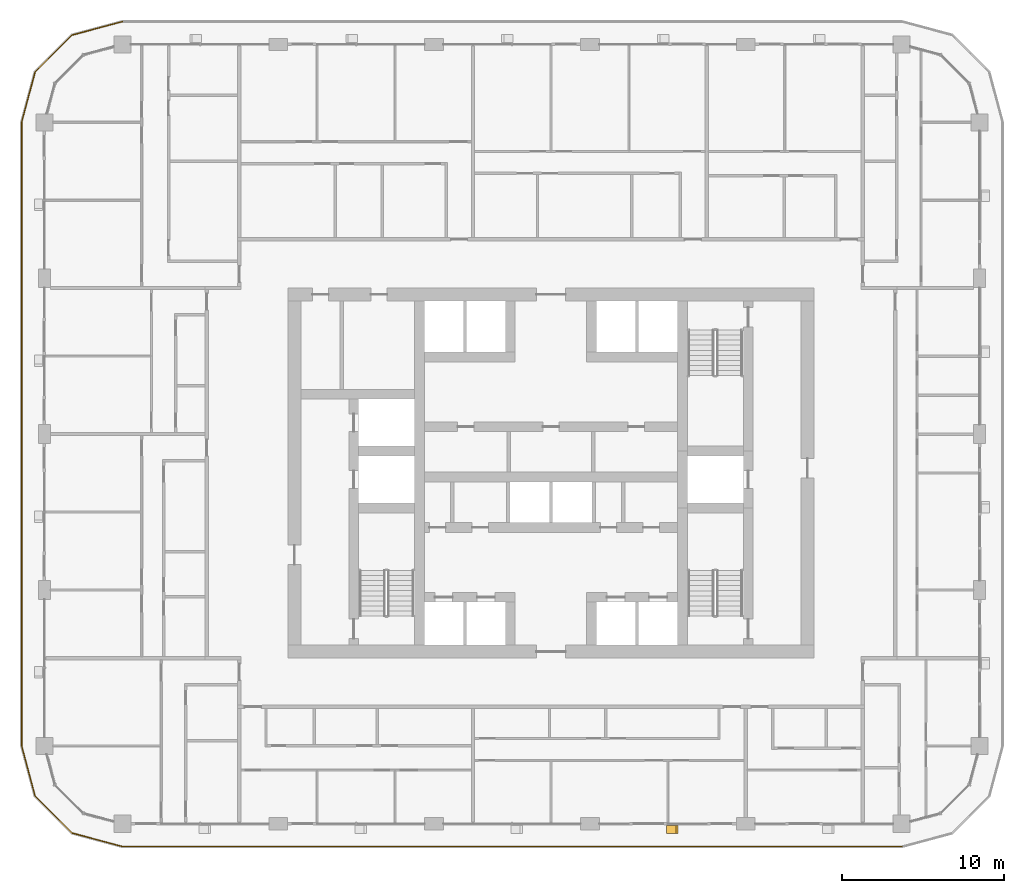
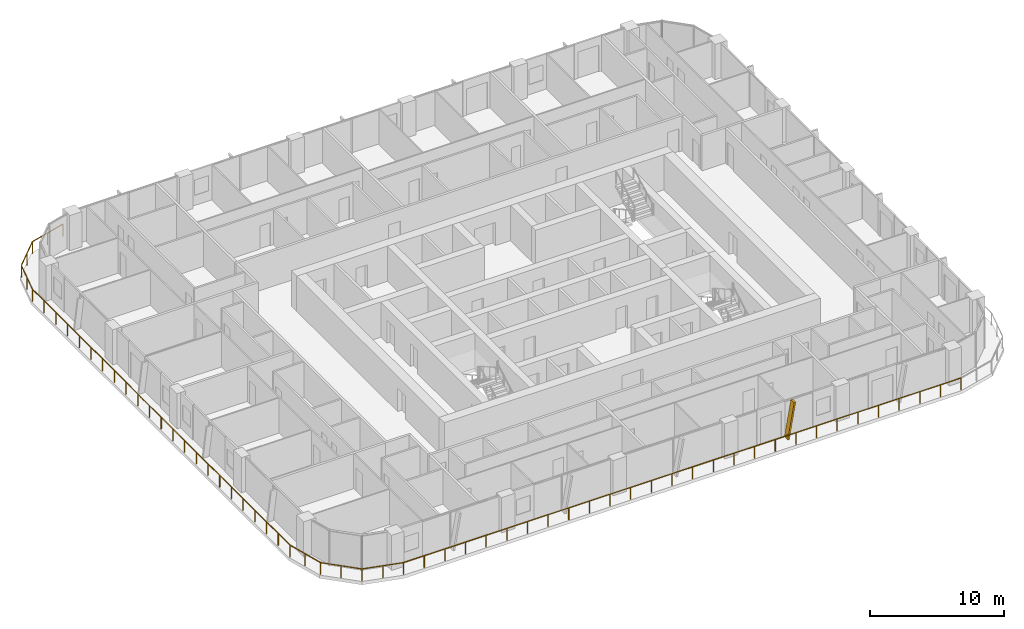
# One storey, part 18 of 22: 1 railing, 1 shading device.
"""IFC4 building model written with IfcOpenShell, lengths in metres."""

from ifc_helpers import new_model, si_unit, direction, frame, origin, origin_2d, place, context, subcontext, project, spatial, polyline, circle, outline, extrude, material, type_object, element, save


model = new_model("IFC4")

# Units and contexts
model_context = context("Model", 3, precision=1e-05, world=origin(), true_north=direction((0.0, 1.0)))
body_context = subcontext(model_context, "Body", "Model", "MODEL_VIEW")
ifc_project = project(units=[si_unit("LENGTHUNIT", "METRE"), si_unit("AREAUNIT", "SQUARE_METRE"), si_unit("VOLUMEUNIT", "CUBIC_METRE"), si_unit("PLANEANGLEUNIT", "RADIAN"), si_unit("MASSUNIT", "GRAM", prefix="KILO")], contexts=[model_context])

# Site, building, storey
site_placement = place(None, origin())
site = spatial("IfcSite", under=ifc_project, at=site_placement, CompositionType="ELEMENT")
building_placement = place(site_placement, origin())
building = spatial("IfcBuilding", under=site, at=building_placement, Name="Madar Terraces", CompositionType="ELEMENT")
storey_placement = place(building_placement, frame((0.0, 0.0, 122.60009765625)))
storey = spatial("IfcBuildingStorey", under=building, at=storey_placement, Name="L31", CompositionType="ELEMENT", Elevation=122.60009765625)

# Railing
ifc_material_1 = material(Name="Glass, safety glazing, with stainless steel posts", Category="steel")
railing_type = type_object("IfcRailingType", Name="Balcony glass guard 1100", PredefinedType="GUARDRAIL", material=ifc_material_1)
railing_placement = place(storey_placement, frame((4.800048828125, 54.199951171875, 0.0)))
element("IfcRailing", 1, at=railing_placement, inside=storey, type_object=railing_type, Name="Balcony guard", PredefinedType="GUARDRAIL", context=body_context, shape_type="SweptSolid", body=[
    extrude(circle(Radius=0.02392578125, at=origin_2d()), frame((0.0, 0.0, 1.076171875), z_axis=(-0.9659337912, -0.258789317819, 0.0), x_axis=(0.258789317819, -0.9659337912, 0.0)), (0.0, 0.0, 1.0), 3.20947265625),
    extrude(circle(Radius=0.02392578125, at=origin_2d()), frame((-3.10009765625, -0.83056640625, 1.076171875), z_axis=(-0.707106781187, -0.707106781187, 0.0), x_axis=(0.707106781187, -0.707106781187, 0.0)), (0.0, 0.0, 1.0), 3.209228515625),
    extrude(circle(Radius=0.02392578125, at=origin_2d()), frame((-5.369384765625, -3.099853515625, 1.076171875), z_axis=(-0.258789317819, -0.9659337912, 0.0), x_axis=(0.9659337912, -0.258789317819, 0.0)), (0.0, 0.0, 1.0), 3.20947265625),
    extrude(circle(Radius=0.02392578125, at=origin_2d()), frame((-6.199951171875, -6.199951171875, 1.076171875), z_axis=(0.0, -1.0, 0.0), x_axis=(1.0, 0.0, 0.0)), (0.0, 0.0, 1.0), 38.39990234375),
    extrude(circle(Radius=0.02392578125, at=origin_2d()), frame((-6.199951171875, -44.599853515625, 1.076171875), z_axis=(0.258789317819, -0.9659337912, 0.0), x_axis=(0.9659337912, 0.258789317819, 0.0)), (0.0, 0.0, 1.0), 3.20947265625),
    extrude(circle(Radius=0.02392578125, at=origin_2d()), frame((-5.369384765625, -47.699951171875, 1.076171875), z_axis=(0.707106781187, -0.707106781187, 0.0), x_axis=(0.707106781187, 0.707106781187, 0.0)), (0.0, 0.0, 1.0), 3.209228515625),
    extrude(circle(Radius=0.02392578125, at=origin_2d()), frame((-3.10009765625, -49.96923828125, 1.076171875), z_axis=(0.965914773555, -0.258860290944, 0.0), x_axis=(0.258860290944, 0.965914773555, 0.0)), (0.0, 0.0, 1.0), 3.20947265625),
    extrude(circle(Radius=0.02392578125, at=origin_2d()), frame((0.0, -50.800048828125, 1.076171875), z_axis=(1.0, 0.0, 0.0), x_axis=(0.0, 1.0, 0.0)), (0.0, 0.0, 1.0), 48.0),
    extrude(circle(Radius=0.02099609375, at=origin_2d()), origin(), (0.0, 0.0, 1.0), 1.052001953125),
    extrude(circle(Radius=0.02099609375, at=origin_2d()), frame((-1.550048828125, -0.415283203125, 0.0)), (0.0, 0.0, 1.0), 1.052001953125),
    extrude(circle(Radius=0.02099609375, at=origin_2d()), frame((-3.10009765625, -0.83056640625, 0.0)), (0.0, 0.0, 1.0), 1.052001953125),
    extrude(circle(Radius=0.02099609375, at=origin_2d()), frame((-4.23486328125, -1.96533203125, 0.0)), (0.0, 0.0, 1.0), 1.052001953125),
    extrude(circle(Radius=0.02099609375, at=origin_2d()), frame((-5.369384765625, -3.099853515625, 0.0)), (0.0, 0.0, 1.0), 1.052001953125),
    extrude(circle(Radius=0.02099609375, at=origin_2d()), frame((-5.78466796875, -4.64990234375, 0.0)), (0.0, 0.0, 1.0), 1.052001953125),
    extrude(circle(Radius=0.02099609375, at=origin_2d()), frame((-6.199951171875, -6.199951171875, 0.0)), (0.0, 0.0, 1.0), 1.052001953125),
    extrude(circle(Radius=0.02099609375, at=origin_2d()), frame((-6.199951171875, -7.9453125, 0.0)), (0.0, 0.0, 1.0), 1.052001953125),
    extrude(circle(Radius=0.02099609375, at=origin_2d()), frame((-6.199951171875, -9.69091796875, 0.0)), (0.0, 0.0, 1.0), 1.052001953125),
    extrude(circle(Radius=0.02099609375, at=origin_2d()), frame((-6.199951171875, -11.436279296875, 0.0)), (0.0, 0.0, 1.0), 1.052001953125),
    extrude(circle(Radius=0.02099609375, at=origin_2d()), frame((-6.199951171875, -13.181640625, 0.0)), (0.0, 0.0, 1.0), 1.052001953125),
    extrude(circle(Radius=0.02099609375, at=origin_2d()), frame((-6.199951171875, -14.92724609375, 0.0)), (0.0, 0.0, 1.0), 1.052001953125),
    extrude(circle(Radius=0.02099609375, at=origin_2d()), frame((-6.199951171875, -16.672607421875, 0.0)), (0.0, 0.0, 1.0), 1.052001953125),
    extrude(circle(Radius=0.02099609375, at=origin_2d()), frame((-6.199951171875, -18.418212890625, 0.0)), (0.0, 0.0, 1.0), 1.052001953125),
    extrude(circle(Radius=0.02099609375, at=origin_2d()), frame((-6.199951171875, -20.16357421875, 0.0)), (0.0, 0.0, 1.0), 1.052001953125),
    extrude(circle(Radius=0.02099609375, at=origin_2d()), frame((-6.199951171875, -21.908935546875, 0.0)), (0.0, 0.0, 1.0), 1.052001953125),
    extrude(circle(Radius=0.02099609375, at=origin_2d()), frame((-6.199951171875, -23.654541015625, 0.0)), (0.0, 0.0, 1.0), 1.052001953125),
    extrude(circle(Radius=0.02099609375, at=origin_2d()), frame((-6.199951171875, -25.39990234375, 0.0)), (0.0, 0.0, 1.0), 1.052001953125),
    extrude(circle(Radius=0.02099609375, at=origin_2d()), frame((-6.199951171875, -27.145263671875, 0.0)), (0.0, 0.0, 1.0), 1.052001953125),
    extrude(circle(Radius=0.02099609375, at=origin_2d()), frame((-6.199951171875, -28.890869140625, 0.0)), (0.0, 0.0, 1.0), 1.052001953125),
    extrude(circle(Radius=0.02099609375, at=origin_2d()), frame((-6.199951171875, -30.63623046875, 0.0)), (0.0, 0.0, 1.0), 1.052001953125),
    extrude(circle(Radius=0.02099609375, at=origin_2d()), frame((-6.199951171875, -32.381591796875, 0.0)), (0.0, 0.0, 1.0), 1.052001953125),
    extrude(circle(Radius=0.02099609375, at=origin_2d()), frame((-6.199951171875, -34.127197265625, 0.0)), (0.0, 0.0, 1.0), 1.052001953125),
    extrude(circle(Radius=0.02099609375, at=origin_2d()), frame((-6.199951171875, -35.87255859375, 0.0)), (0.0, 0.0, 1.0), 1.052001953125),
    extrude(circle(Radius=0.02099609375, at=origin_2d()), frame((-6.199951171875, -37.6181640625, 0.0)), (0.0, 0.0, 1.0), 1.052001953125),
    extrude(circle(Radius=0.02099609375, at=origin_2d()), frame((-6.199951171875, -39.363525390625, 0.0)), (0.0, 0.0, 1.0), 1.052001953125),
    extrude(circle(Radius=0.02099609375, at=origin_2d()), frame((-6.199951171875, -41.10888671875, 0.0)), (0.0, 0.0, 1.0), 1.052001953125),
    extrude(circle(Radius=0.02099609375, at=origin_2d()), frame((-6.199951171875, -42.8544921875, 0.0)), (0.0, 0.0, 1.0), 1.052001953125),
    extrude(circle(Radius=0.02099609375, at=origin_2d()), frame((-6.199951171875, -44.599853515625, 0.0)), (0.0, 0.0, 1.0), 1.052001953125),
    extrude(circle(Radius=0.02099609375, at=origin_2d()), frame((-5.78466796875, -46.14990234375, 0.0)), (0.0, 0.0, 1.0), 1.052001953125),
    extrude(circle(Radius=0.02099609375, at=origin_2d()), frame((-5.369384765625, -47.699951171875, 0.0)), (0.0, 0.0, 1.0), 1.052001953125),
    extrude(circle(Radius=0.02099609375, at=origin_2d()), frame((-4.23486328125, -48.83447265625, 0.0)), (0.0, 0.0, 1.0), 1.052001953125),
    extrude(circle(Radius=0.02099609375, at=origin_2d()), frame((-3.10009765625, -49.96923828125, 0.0)), (0.0, 0.0, 1.0), 1.052001953125),
    extrude(circle(Radius=0.02099609375, at=origin_2d()), frame((-1.550048828125, -50.384765625, 0.0)), (0.0, 0.0, 1.0), 1.052001953125),
    extrude(circle(Radius=0.02099609375, at=origin_2d()), frame((0.0, -50.800048828125, 0.0)), (0.0, 0.0, 1.0), 1.052001953125),
    extrude(circle(Radius=0.02099609375, at=origin_2d()), frame((1.77783203125, -50.800048828125, 0.0)), (0.0, 0.0, 1.0), 1.052001953125),
    extrude(circle(Radius=0.02099609375, at=origin_2d()), frame((3.5556640625, -50.800048828125, 0.0)), (0.0, 0.0, 1.0), 1.052001953125),
    extrude(circle(Radius=0.02099609375, at=origin_2d()), frame((5.333251953125, -50.800048828125, 0.0)), (0.0, 0.0, 1.0), 1.052001953125),
    extrude(circle(Radius=0.02099609375, at=origin_2d()), frame((7.111083984375, -50.800048828125, 0.0)), (0.0, 0.0, 1.0), 1.052001953125),
    extrude(circle(Radius=0.02099609375, at=origin_2d()), frame((8.888916015625, -50.800048828125, 0.0)), (0.0, 0.0, 1.0), 1.052001953125),
    extrude(circle(Radius=0.02099609375, at=origin_2d()), frame((10.666748046875, -50.800048828125, 0.0)), (0.0, 0.0, 1.0), 1.052001953125),
    extrude(circle(Radius=0.02099609375, at=origin_2d()), frame((12.4443359375, -50.800048828125, 0.0)), (0.0, 0.0, 1.0), 1.052001953125),
    extrude(circle(Radius=0.02099609375, at=origin_2d()), frame((14.22216796875, -50.800048828125, 0.0)), (0.0, 0.0, 1.0), 1.052001953125),
    extrude(circle(Radius=0.02099609375, at=origin_2d()), frame((16.0, -50.800048828125, 0.0)), (0.0, 0.0, 1.0), 1.052001953125),
    extrude(circle(Radius=0.02099609375, at=origin_2d()), frame((17.77783203125, -50.800048828125, 0.0)), (0.0, 0.0, 1.0), 1.052001953125),
    extrude(circle(Radius=0.02099609375, at=origin_2d()), frame((19.5556640625, -50.800048828125, 0.0)), (0.0, 0.0, 1.0), 1.052001953125),
    extrude(circle(Radius=0.02099609375, at=origin_2d()), frame((21.333251953125, -50.800048828125, 0.0)), (0.0, 0.0, 1.0), 1.052001953125),
    extrude(circle(Radius=0.02099609375, at=origin_2d()), frame((23.111083984375, -50.800048828125, 0.0)), (0.0, 0.0, 1.0), 1.052001953125),
    extrude(circle(Radius=0.02099609375, at=origin_2d()), frame((24.888916015625, -50.800048828125, 0.0)), (0.0, 0.0, 1.0), 1.052001953125),
    extrude(circle(Radius=0.02099609375, at=origin_2d()), frame((26.666748046875, -50.800048828125, 0.0)), (0.0, 0.0, 1.0), 1.052001953125),
    extrude(circle(Radius=0.02099609375, at=origin_2d()), frame((28.4443359375, -50.800048828125, 0.0)), (0.0, 0.0, 1.0), 1.052001953125),
    extrude(circle(Radius=0.02099609375, at=origin_2d()), frame((30.22216796875, -50.800048828125, 0.0)), (0.0, 0.0, 1.0), 1.052001953125),
    extrude(circle(Radius=0.02099609375, at=origin_2d()), frame((32.0, -50.800048828125, 0.0)), (0.0, 0.0, 1.0), 1.052001953125),
    extrude(circle(Radius=0.02099609375, at=origin_2d()), frame((33.77783203125, -50.800048828125, 0.0)), (0.0, 0.0, 1.0), 1.052001953125),
    extrude(circle(Radius=0.02099609375, at=origin_2d()), frame((35.5556640625, -50.800048828125, 0.0)), (0.0, 0.0, 1.0), 1.052001953125),
    extrude(circle(Radius=0.02099609375, at=origin_2d()), frame((37.333251953125, -50.800048828125, 0.0)), (0.0, 0.0, 1.0), 1.052001953125),
    extrude(circle(Radius=0.02099609375, at=origin_2d()), frame((39.111083984375, -50.800048828125, 0.0)), (0.0, 0.0, 1.0), 1.052001953125),
    extrude(circle(Radius=0.02099609375, at=origin_2d()), frame((40.888916015625, -50.800048828125, 0.0)), (0.0, 0.0, 1.0), 1.052001953125),
    extrude(circle(Radius=0.02099609375, at=origin_2d()), frame((42.666748046875, -50.800048828125, 0.0)), (0.0, 0.0, 1.0), 1.052001953125),
    extrude(circle(Radius=0.02099609375, at=origin_2d()), frame((44.4443359375, -50.800048828125, 0.0)), (0.0, 0.0, 1.0), 1.052001953125),
    extrude(circle(Radius=0.02099609375, at=origin_2d()), frame((46.22216796875, -50.800048828125, 0.0)), (0.0, 0.0, 1.0), 1.052001953125),
    extrude(circle(Radius=0.02099609375, at=origin_2d()), frame((48.0, -50.800048828125, 0.0)), (0.0, 0.0, 1.0), 1.052001953125),
])

# Shading device
ifc_material_2 = material(Name="Aluminium, black anodised", Category="aluminium")
shading_device_type = type_object("IfcShadingDeviceType", Name="Facade fin blade 140 x 500", PredefinedType="USERDEFINED", material=ifc_material_2)
shading_device_placement = place(storey_placement, frame((38.330078125, 4.449951171875, 0.0), z_axis=(0.0, 0.0, 1.0), x_axis=(1.0, 0.0, 0.0)))
element("IfcShadingDevice", 2, at=shading_device_placement, inside=storey, type_object=shading_device_type, Name="FIN L31 S4", ObjectType="FIN", PredefinedType="USERDEFINED", context=body_context, shape_type="SweptSolid", body=[
    extrude(outline(polyline([(0.0, 0.0), (0.139892578125, 0.0), (0.704345703125, 3.199951171875), (0.564208984375, 3.199951171875), (0.0, 0.0)])), frame((0.0, 0.25, 0.0), z_axis=(0.0, -1.0, 0.0), x_axis=(1.0, 0.0, 0.0)), (0.0, 0.0, 1.0), 0.5),
])

save(model, "model.ifc")
